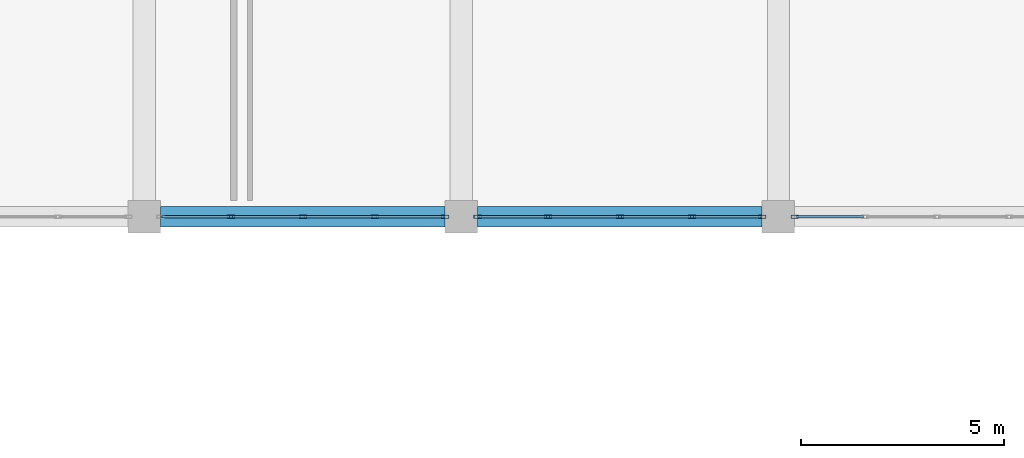
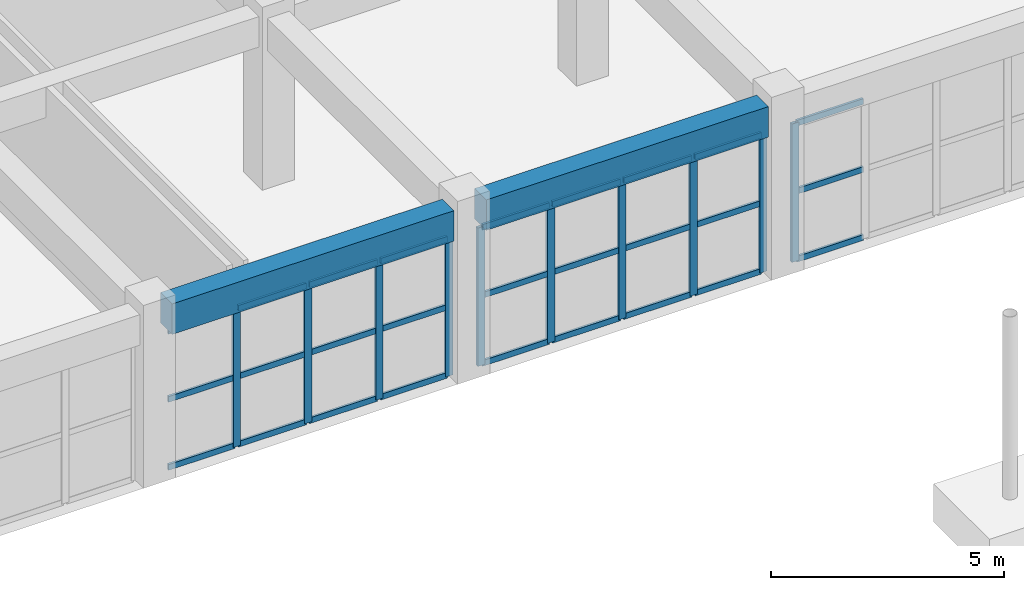
# One storey, part 42 of 139: 37 members, 2 beams, 3 elements without a shape of their own.
"""IFC4 building model written with IfcOpenShell, lengths in metres."""

from ifc_helpers import new_model, si_unit, direction, frame, origin, origin_2d, place, context, subcontext, project, spatial, rectangle, hollow_rectangle, extrude, material, layer, layer_set, material_profile, profile_set, type_object, element, aggregate, save


model = new_model("IFC4")

# Units and contexts
model_context = context("Model", 3, precision=1e-05, world=origin(), true_north=direction((0.0, 1.0)))
body_context = subcontext(model_context, "Body", "Model", "MODEL_VIEW")
ifc_project = project(units=[si_unit("LENGTHUNIT", "METRE"), si_unit("AREAUNIT", "SQUARE_METRE"), si_unit("VOLUMEUNIT", "CUBIC_METRE"), si_unit("PLANEANGLEUNIT", "RADIAN"), si_unit("MASSUNIT", "GRAM", prefix="KILO")], contexts=[model_context])

# Site, building, storey
site_placement = place(None, origin())
site = spatial("IfcSite", under=ifc_project, at=site_placement, CompositionType="ELEMENT")
building_placement = place(site_placement, origin())
building = spatial("IfcBuilding", under=site, at=building_placement, Name="Zizhar Promenade General Hospital", CompositionType="ELEMENT")
storey_placement = place(building_placement, origin())
storey = spatial("IfcBuildingStorey", under=building, at=storey_placement, Name="L00", CompositionType="ELEMENT", Elevation=0.0)

# Beams
ifc_material_1 = material(Name="Concrete C35/45", Category="concrete")
ifc_material_profile_1 = material_profile(ifc_material_1, rectangle(XDim=0.5, YDim=0.800048828125, at=origin_2d()))
ifc_profile_set_1 = profile_set([ifc_material_profile_1], Name="Concrete C35/45")
beam_type = type_object("IfcBeamType", Name="BM-RC-500x800", PredefinedType="BEAM", material=ifc_profile_set_1)
for number, where, z_axis, x_axis, name in (
    (1, (86.199951171875, 92.39990234375, 4.070068359375), (1.0, 0.0, 0.0), (0.0, 1.0, 0.0), "Grid Beam X L00 (11-11)"),
    (2, (94.0, 92.39990234375, 4.070068359375), (1.0, 0.0, 0.0), (0.0, 1.0, 0.0), "Grid Beam X L00 (12-11)"),
):
    element("IfcBeam", number, at=place(storey_placement, frame(where, z_axis=z_axis, x_axis=x_axis)), inside=storey, type_object=beam_type, Name=name, PredefinedType="BEAM", context=body_context, shape_type="SweptSolid", body=[
        extrude(rectangle(XDim=0.5, YDim=0.800048828125, at=origin_2d()), origin(), (0.0, 0.0, 1.0), 7.0),
    ])

# Curtain wall, members
ifc_material_2 = material(Name="Anodised aluminium 6063-T6 and low-E glass", Category="aluminium")
ifc_layer = layer(ifc_material_2, 0.159912109375)
ifc_layer_set = layer_set([ifc_layer], Name="Anodised aluminium 6063-T6 and low-E glass")
curtain_wall_type = type_object("IfcCurtainWallType", Name="CW-DT-MOD1", PredefinedType="NOTDEFINED", material=ifc_layer_set)
curtain_wall_1_placement = place(storey_placement, origin())
curtain_wall_1 = element("IfcCurtainWall", 3, at=curtain_wall_1_placement, inside=storey, type_object=curtain_wall_type, Name="Garden Court North Surgical Glazing L00-11", PredefinedType="NOTDEFINED")
ifc_material_3 = material(Name="Anodised aluminium 6063-T6", Category="aluminium")
ifc_material_profile_2 = material_profile(ifc_material_3, hollow_rectangle(XDim=0.080078125, YDim=0.179931640625, WallThickness=0.0048828125, at=origin_2d()))
ifc_profile_set_2 = profile_set([ifc_material_profile_2], Name="Anodised aluminium 6063-T6")
member_type_1 = type_object("IfcMemberType", Name="CWM-ALU-180x80", PredefinedType="MULLION", material=ifc_profile_set_2)
member_1_placement = place(storey_placement, frame((93.199951171875, 92.39990234375, 0.0), z_axis=(0.0, 0.0, 1.0), x_axis=(0.0, -1.0, 0.0)))
member_1 = element("IfcMember", 4, at=member_1_placement, type_object=member_type_1, Name="CW-07 mullion 1", PredefinedType="MULLION", context=body_context, shape_type="SweptSolid", body=[
    extrude(hollow_rectangle(XDim=0.080078125, YDim=0.179931640625, WallThickness=0.0048828125, at=origin_2d()), origin(), (0.0, 0.0, 1.0), 3.6298828125),
])
member_2_placement = place(storey_placement, frame((91.469970703125, 92.39990234375, 0.0), z_axis=(0.0, 0.0, 1.0), x_axis=(0.0, -1.0, 0.0)))
member_2 = element("IfcMember", 5, at=member_2_placement, type_object=member_type_1, Name="CW-07 mullion 2", PredefinedType="MULLION", context=body_context, shape_type="SweptSolid", body=[
    extrude(hollow_rectangle(XDim=0.080078125, YDim=0.179931640625, WallThickness=0.0048828125, at=origin_2d()), origin(), (0.0, 0.0, 1.0), 3.6298828125),
])
member_3_placement = place(storey_placement, frame((89.699951171875, 92.39990234375, 0.0), z_axis=(0.0, 0.0, 1.0), x_axis=(0.0, -1.0, 0.0)))
member_3 = element("IfcMember", 6, at=member_3_placement, type_object=member_type_1, Name="CW-07 mullion 3", PredefinedType="MULLION", context=body_context, shape_type="SweptSolid", body=[
    extrude(hollow_rectangle(XDim=0.080078125, YDim=0.179931640625, WallThickness=0.0048828125, at=origin_2d()), origin(), (0.0, 0.0, 1.0), 3.6298828125),
])
member_4_placement = place(storey_placement, frame((87.929931640625, 92.39990234375, 0.0), z_axis=(0.0, 0.0, 1.0), x_axis=(0.0, -1.0, 0.0)))
member_4 = element("IfcMember", 7, at=member_4_placement, type_object=member_type_1, Name="CW-07 mullion 4", PredefinedType="MULLION", context=body_context, shape_type="SweptSolid", body=[
    extrude(hollow_rectangle(XDim=0.080078125, YDim=0.179931640625, WallThickness=0.0048828125, at=origin_2d()), origin(), (0.0, 0.0, 1.0), 3.6298828125),
])

curtain_wall_2_placement = place(storey_placement, origin())
curtain_wall_2 = element("IfcCurtainWall", 8, at=curtain_wall_2_placement, inside=storey, type_object=curtain_wall_type, Name="Garden Court North Surgical Glazing L00-12", PredefinedType="NOTDEFINED")
member_5_placement = place(storey_placement, frame((101.0, 92.39990234375, 0.0), z_axis=(0.0, 0.0, 1.0), x_axis=(0.0, -1.0, 0.0)))
member_5 = element("IfcMember", 9, at=member_5_placement, type_object=member_type_1, Name="CW-07 mullion 1", PredefinedType="MULLION", context=body_context, shape_type="SweptSolid", body=[
    extrude(hollow_rectangle(XDim=0.080078125, YDim=0.179931640625, WallThickness=0.0048828125, at=origin_2d()), origin(), (0.0, 0.0, 1.0), 3.6298828125),
])
member_6_placement = place(storey_placement, frame((99.27001953125, 92.39990234375, 0.0), z_axis=(0.0, 0.0, 1.0), x_axis=(0.0, -1.0, 0.0)))
member_6 = element("IfcMember", 10, at=member_6_placement, type_object=member_type_1, Name="CW-07 mullion 2", PredefinedType="MULLION", context=body_context, shape_type="SweptSolid", body=[
    extrude(hollow_rectangle(XDim=0.080078125, YDim=0.179931640625, WallThickness=0.0048828125, at=origin_2d()), origin(), (0.0, 0.0, 1.0), 3.6298828125),
])
member_7_placement = place(storey_placement, frame((97.5, 92.39990234375, 0.0), z_axis=(0.0, 0.0, 1.0), x_axis=(0.0, -1.0, 0.0)))
member_7 = element("IfcMember", 11, at=member_7_placement, type_object=member_type_1, Name="CW-07 mullion 3", PredefinedType="MULLION", context=body_context, shape_type="SweptSolid", body=[
    extrude(hollow_rectangle(XDim=0.080078125, YDim=0.179931640625, WallThickness=0.0048828125, at=origin_2d()), origin(), (0.0, 0.0, 1.0), 3.6298828125),
])
member_8_placement = place(storey_placement, frame((95.72998046875, 92.39990234375, 0.0), z_axis=(0.0, 0.0, 1.0), x_axis=(0.0, -1.0, 0.0)))
member_8 = element("IfcMember", 12, at=member_8_placement, type_object=member_type_1, Name="CW-07 mullion 4", PredefinedType="MULLION", context=body_context, shape_type="SweptSolid", body=[
    extrude(hollow_rectangle(XDim=0.080078125, YDim=0.179931640625, WallThickness=0.0048828125, at=origin_2d()), origin(), (0.0, 0.0, 1.0), 3.6298828125),
])
member_9_placement = place(storey_placement, frame((94.0, 92.39990234375, 0.0), z_axis=(0.0, 0.0, 1.0), x_axis=(0.0, -1.0, 0.0)))
member_9 = element("IfcMember", 13, at=member_9_placement, type_object=member_type_1, Name="CW-07 mullion 5", PredefinedType="MULLION", context=body_context, shape_type="SweptSolid", body=[
    extrude(hollow_rectangle(XDim=0.080078125, YDim=0.179931640625, WallThickness=0.0048828125, at=origin_2d()), origin(), (0.0, 0.0, 1.0), 3.6298828125),
])

# Curtain wall, member
curtain_wall_3_placement = place(storey_placement, origin())
curtain_wall_3 = element("IfcCurtainWall", 14, at=curtain_wall_3_placement, inside=storey, type_object=curtain_wall_type, Name="Garden Court North Surgical Glazing L00-13", PredefinedType="NOTDEFINED")
member_10_placement = place(storey_placement, frame((101.800048828125, 92.39990234375, 0.0), z_axis=(0.0, 0.0, 1.0), x_axis=(0.0, -1.0, 0.0)))
member_10 = element("IfcMember", 15, at=member_10_placement, type_object=member_type_1, Name="CW-07 mullion 5", PredefinedType="MULLION", context=body_context, shape_type="SweptSolid", body=[
    extrude(hollow_rectangle(XDim=0.080078125, YDim=0.179931640625, WallThickness=0.0048828125, at=origin_2d()), origin(), (0.0, 0.0, 1.0), 3.6298828125),
])

# Member
ifc_material_4 = material(Name="Anodised aluminium 6063-T6", Category="aluminium")
ifc_material_profile_3 = material_profile(ifc_material_4, hollow_rectangle(XDim=0.06005859375, YDim=0.14990234375, WallThickness=0.00390625, at=origin_2d()))
ifc_profile_set_3 = profile_set([ifc_material_profile_3], Name="Anodised aluminium 6063-T6")
member_type_2 = type_object("IfcMemberType", Name="CWT-ALU-150x60", PredefinedType="USERDEFINED", material=ifc_profile_set_3)
member_11_placement = place(storey_placement, frame((93.159912109375, 92.39990234375, 0.030029296875), z_axis=(-1.0, 0.0, 0.0), x_axis=(0.0, -1.0, 0.0)))
member_11 = element("IfcMember", 16, at=member_11_placement, type_object=member_type_2, Name="CW-07 transom 1.1", ObjectType="TRANSOM", PredefinedType="USERDEFINED", context=body_context, shape_type="SweptSolid", body=[
    extrude(hollow_rectangle(XDim=0.06005859375, YDim=0.14990234375, WallThickness=0.00390625, at=origin_2d()), origin(), (0.0, 0.0, 1.0), 1.64990234375),
])

member_12_placement = place(storey_placement, frame((93.159912109375, 92.39990234375, 1.81494140625), z_axis=(-1.0, 0.0, 0.0), x_axis=(0.0, -1.0, 0.0)))
member_12 = element("IfcMember", 17, at=member_12_placement, type_object=member_type_2, Name="CW-07 transom 1.2", ObjectType="TRANSOM", PredefinedType="USERDEFINED", context=body_context, shape_type="SweptSolid", body=[
    extrude(hollow_rectangle(XDim=0.06005859375, YDim=0.14990234375, WallThickness=0.00390625, at=origin_2d()), origin(), (0.0, 0.0, 1.0), 1.64990234375),
])

member_13_placement = place(storey_placement, frame((93.159912109375, 92.39990234375, 3.60009765625), z_axis=(-1.0, 0.0, 0.0), x_axis=(0.0, -1.0, 0.0)))
member_13 = element("IfcMember", 18, at=member_13_placement, type_object=member_type_2, Name="CW-07 transom 1.3", ObjectType="TRANSOM", PredefinedType="USERDEFINED", context=body_context, shape_type="SweptSolid", body=[
    extrude(hollow_rectangle(XDim=0.06005859375, YDim=0.14990234375, WallThickness=0.00390625, at=origin_2d()), origin(), (0.0, 0.0, 1.0), 1.64990234375),
])

member_14_placement = place(storey_placement, frame((91.429931640625, 92.39990234375, 0.030029296875), z_axis=(-1.0, 0.0, 0.0), x_axis=(0.0, -1.0, 0.0)))
member_14 = element("IfcMember", 19, at=member_14_placement, type_object=member_type_2, Name="CW-07 transom 2.1", ObjectType="TRANSOM", PredefinedType="USERDEFINED", context=body_context, shape_type="SweptSolid", body=[
    extrude(hollow_rectangle(XDim=0.06005859375, YDim=0.14990234375, WallThickness=0.00390625, at=origin_2d()), origin(), (0.0, 0.0, 1.0), 1.68994140625),
])

member_15_placement = place(storey_placement, frame((91.429931640625, 92.39990234375, 1.81494140625), z_axis=(-1.0, 0.0, 0.0), x_axis=(0.0, -1.0, 0.0)))
member_15 = element("IfcMember", 20, at=member_15_placement, type_object=member_type_2, Name="CW-07 transom 2.2", ObjectType="TRANSOM", PredefinedType="USERDEFINED", context=body_context, shape_type="SweptSolid", body=[
    extrude(hollow_rectangle(XDim=0.06005859375, YDim=0.14990234375, WallThickness=0.00390625, at=origin_2d()), origin(), (0.0, 0.0, 1.0), 1.68994140625),
])

member_16_placement = place(storey_placement, frame((91.429931640625, 92.39990234375, 3.60009765625), z_axis=(-1.0, 0.0, 0.0), x_axis=(0.0, -1.0, 0.0)))
member_16 = element("IfcMember", 21, at=member_16_placement, type_object=member_type_2, Name="CW-07 transom 2.3", ObjectType="TRANSOM", PredefinedType="USERDEFINED", context=body_context, shape_type="SweptSolid", body=[
    extrude(hollow_rectangle(XDim=0.06005859375, YDim=0.14990234375, WallThickness=0.00390625, at=origin_2d()), origin(), (0.0, 0.0, 1.0), 1.68994140625),
])

member_17_placement = place(storey_placement, frame((89.659912109375, 92.39990234375, 0.030029296875), z_axis=(-1.0, 0.0, 0.0), x_axis=(0.0, -1.0, 0.0)))
member_17 = element("IfcMember", 22, at=member_17_placement, type_object=member_type_2, Name="CW-07 transom 3.1", ObjectType="TRANSOM", PredefinedType="USERDEFINED", context=body_context, shape_type="SweptSolid", body=[
    extrude(hollow_rectangle(XDim=0.06005859375, YDim=0.14990234375, WallThickness=0.00390625, at=origin_2d()), origin(), (0.0, 0.0, 1.0), 1.68994140625),
])

member_18_placement = place(storey_placement, frame((89.659912109375, 92.39990234375, 1.81494140625), z_axis=(-1.0, 0.0, 0.0), x_axis=(0.0, -1.0, 0.0)))
member_18 = element("IfcMember", 23, at=member_18_placement, type_object=member_type_2, Name="CW-07 transom 3.2", ObjectType="TRANSOM", PredefinedType="USERDEFINED", context=body_context, shape_type="SweptSolid", body=[
    extrude(hollow_rectangle(XDim=0.06005859375, YDim=0.14990234375, WallThickness=0.00390625, at=origin_2d()), origin(), (0.0, 0.0, 1.0), 1.68994140625),
])

member_19_placement = place(storey_placement, frame((89.659912109375, 92.39990234375, 3.60009765625), z_axis=(-1.0, 0.0, 0.0), x_axis=(0.0, -1.0, 0.0)))
member_19 = element("IfcMember", 24, at=member_19_placement, type_object=member_type_2, Name="CW-07 transom 3.3", ObjectType="TRANSOM", PredefinedType="USERDEFINED", context=body_context, shape_type="SweptSolid", body=[
    extrude(hollow_rectangle(XDim=0.06005859375, YDim=0.14990234375, WallThickness=0.00390625, at=origin_2d()), origin(), (0.0, 0.0, 1.0), 1.68994140625),
])

member_20_placement = place(storey_placement, frame((87.889892578125, 92.39990234375, 0.030029296875), z_axis=(-1.0, 0.0, 0.0), x_axis=(0.0, -1.0, 0.0)))
member_20 = element("IfcMember", 25, at=member_20_placement, type_object=member_type_2, Name="CW-07 transom 4.1", ObjectType="TRANSOM", PredefinedType="USERDEFINED", context=body_context, shape_type="SweptSolid", body=[
    extrude(hollow_rectangle(XDim=0.06005859375, YDim=0.14990234375, WallThickness=0.00390625, at=origin_2d()), origin(), (0.0, 0.0, 1.0), 1.64990234375),
])

member_21_placement = place(storey_placement, frame((87.889892578125, 92.39990234375, 1.81494140625), z_axis=(-1.0, 0.0, 0.0), x_axis=(0.0, -1.0, 0.0)))
member_21 = element("IfcMember", 26, at=member_21_placement, type_object=member_type_2, Name="CW-07 transom 4.2", ObjectType="TRANSOM", PredefinedType="USERDEFINED", context=body_context, shape_type="SweptSolid", body=[
    extrude(hollow_rectangle(XDim=0.06005859375, YDim=0.14990234375, WallThickness=0.00390625, at=origin_2d()), origin(), (0.0, 0.0, 1.0), 1.64990234375),
])

member_22_placement = place(storey_placement, frame((87.889892578125, 92.39990234375, 3.60009765625), z_axis=(-1.0, 0.0, 0.0), x_axis=(0.0, -1.0, 0.0)))
member_22 = element("IfcMember", 27, at=member_22_placement, type_object=member_type_2, Name="CW-07 transom 4.3", ObjectType="TRANSOM", PredefinedType="USERDEFINED", context=body_context, shape_type="SweptSolid", body=[
    extrude(hollow_rectangle(XDim=0.06005859375, YDim=0.14990234375, WallThickness=0.00390625, at=origin_2d()), origin(), (0.0, 0.0, 1.0), 1.64990234375),
])

aggregate(curtain_wall_1, [member_1, member_2, member_3, member_4, member_11, member_12, member_13, member_14, member_15, member_16, member_17, member_18, member_19, member_20, member_21, member_22])

member_23_placement = place(storey_placement, frame((100.9599609375, 92.39990234375, 0.030029296875), z_axis=(-1.0, 0.0, 0.0), x_axis=(0.0, -1.0, 0.0)))
member_23 = element("IfcMember", 28, at=member_23_placement, type_object=member_type_2, Name="CW-07 transom 1.1", ObjectType="TRANSOM", PredefinedType="USERDEFINED", context=body_context, shape_type="SweptSolid", body=[
    extrude(hollow_rectangle(XDim=0.06005859375, YDim=0.14990234375, WallThickness=0.00390625, at=origin_2d()), origin(), (0.0, 0.0, 1.0), 1.64990234375),
])

member_24_placement = place(storey_placement, frame((100.9599609375, 92.39990234375, 1.81494140625), z_axis=(-1.0, 0.0, 0.0), x_axis=(0.0, -1.0, 0.0)))
member_24 = element("IfcMember", 29, at=member_24_placement, type_object=member_type_2, Name="CW-07 transom 1.2", ObjectType="TRANSOM", PredefinedType="USERDEFINED", context=body_context, shape_type="SweptSolid", body=[
    extrude(hollow_rectangle(XDim=0.06005859375, YDim=0.14990234375, WallThickness=0.00390625, at=origin_2d()), origin(), (0.0, 0.0, 1.0), 1.64990234375),
])

member_25_placement = place(storey_placement, frame((100.9599609375, 92.39990234375, 3.60009765625), z_axis=(-1.0, 0.0, 0.0), x_axis=(0.0, -1.0, 0.0)))
member_25 = element("IfcMember", 30, at=member_25_placement, type_object=member_type_2, Name="CW-07 transom 1.3", ObjectType="TRANSOM", PredefinedType="USERDEFINED", context=body_context, shape_type="SweptSolid", body=[
    extrude(hollow_rectangle(XDim=0.06005859375, YDim=0.14990234375, WallThickness=0.00390625, at=origin_2d()), origin(), (0.0, 0.0, 1.0), 1.64990234375),
])

member_26_placement = place(storey_placement, frame((99.22998046875, 92.39990234375, 0.030029296875), z_axis=(-1.0, 0.0, 0.0), x_axis=(0.0, -1.0, 0.0)))
member_26 = element("IfcMember", 31, at=member_26_placement, type_object=member_type_2, Name="CW-07 transom 2.1", ObjectType="TRANSOM", PredefinedType="USERDEFINED", context=body_context, shape_type="SweptSolid", body=[
    extrude(hollow_rectangle(XDim=0.06005859375, YDim=0.14990234375, WallThickness=0.00390625, at=origin_2d()), origin(), (0.0, 0.0, 1.0), 1.68994140625),
])

member_27_placement = place(storey_placement, frame((99.22998046875, 92.39990234375, 1.81494140625), z_axis=(-1.0, 0.0, 0.0), x_axis=(0.0, -1.0, 0.0)))
member_27 = element("IfcMember", 32, at=member_27_placement, type_object=member_type_2, Name="CW-07 transom 2.2", ObjectType="TRANSOM", PredefinedType="USERDEFINED", context=body_context, shape_type="SweptSolid", body=[
    extrude(hollow_rectangle(XDim=0.06005859375, YDim=0.14990234375, WallThickness=0.00390625, at=origin_2d()), origin(), (0.0, 0.0, 1.0), 1.68994140625),
])

member_28_placement = place(storey_placement, frame((99.22998046875, 92.39990234375, 3.60009765625), z_axis=(-1.0, 0.0, 0.0), x_axis=(0.0, -1.0, 0.0)))
member_28 = element("IfcMember", 33, at=member_28_placement, type_object=member_type_2, Name="CW-07 transom 2.3", ObjectType="TRANSOM", PredefinedType="USERDEFINED", context=body_context, shape_type="SweptSolid", body=[
    extrude(hollow_rectangle(XDim=0.06005859375, YDim=0.14990234375, WallThickness=0.00390625, at=origin_2d()), origin(), (0.0, 0.0, 1.0), 1.68994140625),
])

member_29_placement = place(storey_placement, frame((97.4599609375, 92.39990234375, 0.030029296875), z_axis=(-1.0, 0.0, 0.0), x_axis=(0.0, -1.0, 0.0)))
member_29 = element("IfcMember", 34, at=member_29_placement, type_object=member_type_2, Name="CW-07 transom 3.1", ObjectType="TRANSOM", PredefinedType="USERDEFINED", context=body_context, shape_type="SweptSolid", body=[
    extrude(hollow_rectangle(XDim=0.06005859375, YDim=0.14990234375, WallThickness=0.00390625, at=origin_2d()), origin(), (0.0, 0.0, 1.0), 1.68994140625),
])

member_30_placement = place(storey_placement, frame((97.4599609375, 92.39990234375, 1.81494140625), z_axis=(-1.0, 0.0, 0.0), x_axis=(0.0, -1.0, 0.0)))
member_30 = element("IfcMember", 35, at=member_30_placement, type_object=member_type_2, Name="CW-07 transom 3.2", ObjectType="TRANSOM", PredefinedType="USERDEFINED", context=body_context, shape_type="SweptSolid", body=[
    extrude(hollow_rectangle(XDim=0.06005859375, YDim=0.14990234375, WallThickness=0.00390625, at=origin_2d()), origin(), (0.0, 0.0, 1.0), 1.68994140625),
])

member_31_placement = place(storey_placement, frame((97.4599609375, 92.39990234375, 3.60009765625), z_axis=(-1.0, 0.0, 0.0), x_axis=(0.0, -1.0, 0.0)))
member_31 = element("IfcMember", 36, at=member_31_placement, type_object=member_type_2, Name="CW-07 transom 3.3", ObjectType="TRANSOM", PredefinedType="USERDEFINED", context=body_context, shape_type="SweptSolid", body=[
    extrude(hollow_rectangle(XDim=0.06005859375, YDim=0.14990234375, WallThickness=0.00390625, at=origin_2d()), origin(), (0.0, 0.0, 1.0), 1.68994140625),
])

member_32_placement = place(storey_placement, frame((95.68994140625, 92.39990234375, 0.030029296875), z_axis=(-1.0, 0.0, 0.0), x_axis=(0.0, -1.0, 0.0)))
member_32 = element("IfcMember", 37, at=member_32_placement, type_object=member_type_2, Name="CW-07 transom 4.1", ObjectType="TRANSOM", PredefinedType="USERDEFINED", context=body_context, shape_type="SweptSolid", body=[
    extrude(hollow_rectangle(XDim=0.06005859375, YDim=0.14990234375, WallThickness=0.00390625, at=origin_2d()), origin(), (0.0, 0.0, 1.0), 1.64990234375),
])

member_33_placement = place(storey_placement, frame((95.68994140625, 92.39990234375, 1.81494140625), z_axis=(-1.0, 0.0, 0.0), x_axis=(0.0, -1.0, 0.0)))
member_33 = element("IfcMember", 38, at=member_33_placement, type_object=member_type_2, Name="CW-07 transom 4.2", ObjectType="TRANSOM", PredefinedType="USERDEFINED", context=body_context, shape_type="SweptSolid", body=[
    extrude(hollow_rectangle(XDim=0.06005859375, YDim=0.14990234375, WallThickness=0.00390625, at=origin_2d()), origin(), (0.0, 0.0, 1.0), 1.64990234375),
])

member_34_placement = place(storey_placement, frame((95.68994140625, 92.39990234375, 3.60009765625), z_axis=(-1.0, 0.0, 0.0), x_axis=(0.0, -1.0, 0.0)))
member_34 = element("IfcMember", 39, at=member_34_placement, type_object=member_type_2, Name="CW-07 transom 4.3", ObjectType="TRANSOM", PredefinedType="USERDEFINED", context=body_context, shape_type="SweptSolid", body=[
    extrude(hollow_rectangle(XDim=0.06005859375, YDim=0.14990234375, WallThickness=0.00390625, at=origin_2d()), origin(), (0.0, 0.0, 1.0), 1.64990234375),
])

aggregate(curtain_wall_2, [member_5, member_6, member_7, member_8, member_9, member_23, member_24, member_25, member_26, member_27, member_28, member_29, member_30, member_31, member_32, member_33, member_34])

member_35_placement = place(storey_placement, frame((103.489990234375, 92.39990234375, 0.030029296875), z_axis=(-1.0, 0.0, 0.0), x_axis=(0.0, -1.0, 0.0)))
member_35 = element("IfcMember", 40, at=member_35_placement, type_object=member_type_2, Name="CW-07 transom 4.1", ObjectType="TRANSOM", PredefinedType="USERDEFINED", context=body_context, shape_type="SweptSolid", body=[
    extrude(hollow_rectangle(XDim=0.06005859375, YDim=0.14990234375, WallThickness=0.00390625, at=origin_2d()), origin(), (0.0, 0.0, 1.0), 1.64990234375),
])

member_36_placement = place(storey_placement, frame((103.489990234375, 92.39990234375, 1.81494140625), z_axis=(-1.0, 0.0, 0.0), x_axis=(0.0, -1.0, 0.0)))
member_36 = element("IfcMember", 41, at=member_36_placement, type_object=member_type_2, Name="CW-07 transom 4.2", ObjectType="TRANSOM", PredefinedType="USERDEFINED", context=body_context, shape_type="SweptSolid", body=[
    extrude(hollow_rectangle(XDim=0.06005859375, YDim=0.14990234375, WallThickness=0.00390625, at=origin_2d()), origin(), (0.0, 0.0, 1.0), 1.64990234375),
])

member_37_placement = place(storey_placement, frame((103.489990234375, 92.39990234375, 3.60009765625), z_axis=(-1.0, 0.0, 0.0), x_axis=(0.0, -1.0, 0.0)))
member_37 = element("IfcMember", 42, at=member_37_placement, type_object=member_type_2, Name="CW-07 transom 4.3", ObjectType="TRANSOM", PredefinedType="USERDEFINED", context=body_context, shape_type="SweptSolid", body=[
    extrude(hollow_rectangle(XDim=0.06005859375, YDim=0.14990234375, WallThickness=0.00390625, at=origin_2d()), origin(), (0.0, 0.0, 1.0), 1.64990234375),
])

aggregate(curtain_wall_3, [member_10, member_35, member_36, member_37])

save(model, "model.ifc")
